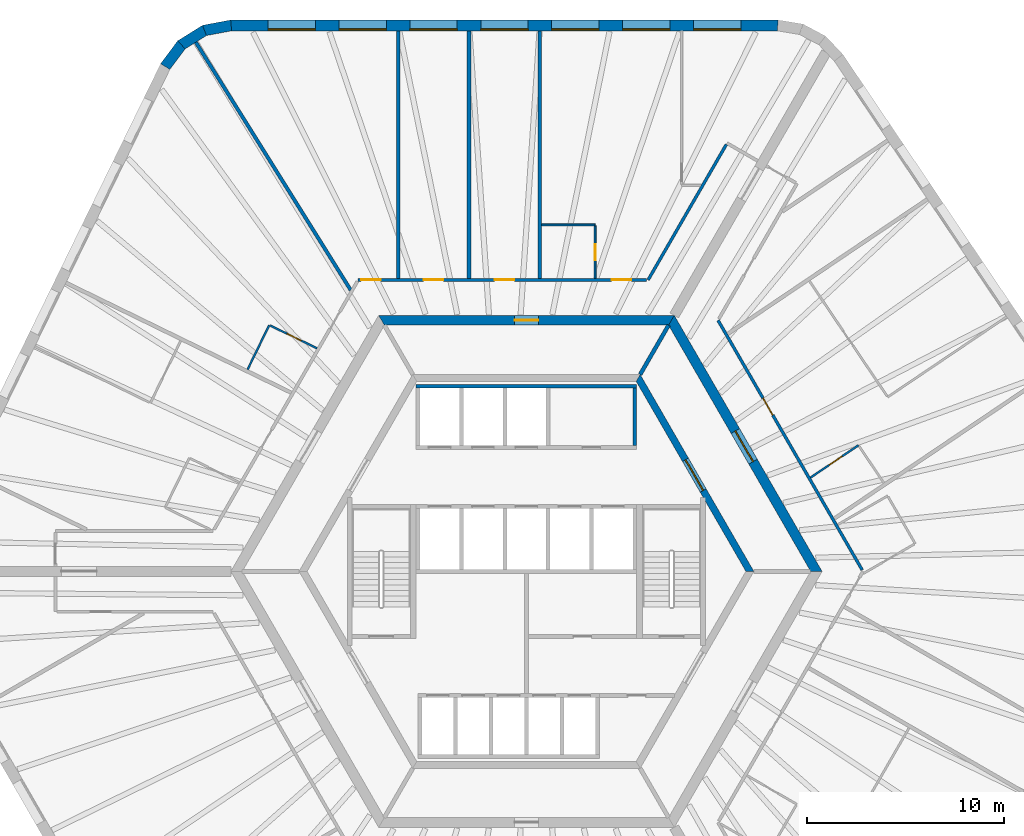
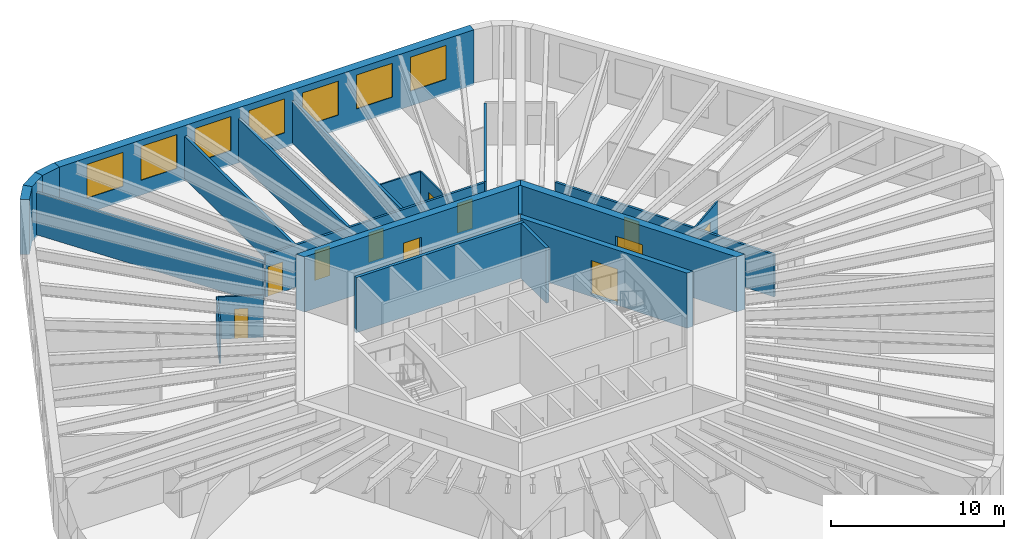
# One storey, part 7 of 9: 22 walls, 11 doors, 7 windows, 18 openings.
"""IFC4 building model written with IfcOpenShell, lengths in metres."""

from ifc_helpers import new_model, si_unit, direction, frame, frame_2d, origin, place, context, subcontext, project, spatial, polyline, rectangle, outline, extrude, material, layer, layer_set, type_object, element, fill, save


model = new_model("IFC4")

# Units and contexts
model_context = context("Model", 3, precision=1e-05, world=origin(), true_north=direction((0.0, 1.0)))
body_context = subcontext(model_context, "Body", "Model", "MODEL_VIEW")
ifc_project = project(units=[si_unit("LENGTHUNIT", "METRE"), si_unit("AREAUNIT", "SQUARE_METRE"), si_unit("VOLUMEUNIT", "CUBIC_METRE"), si_unit("PLANEANGLEUNIT", "RADIAN"), si_unit("MASSUNIT", "GRAM", prefix="KILO")], contexts=[model_context])

# Site, building, storey
site_placement = place(None, origin())
site = spatial("IfcSite", under=ifc_project, at=site_placement, CompositionType="ELEMENT")
building_placement = place(site_placement, origin())
building = spatial("IfcBuilding", under=site, at=building_placement, Name="Tarnside Tower", CompositionType="ELEMENT")
storey_placement = place(building_placement, frame((0.0, 0.0, 222.89990234375)))
storey = spatial("IfcBuildingStorey", under=building, at=storey_placement, Name="L53", CompositionType="ELEMENT", Elevation=222.89990234375)

# Wall
ifc_material_1 = material(Name="Gypsum board partition on steel studs", Category="steel")
ifc_layer_1 = layer(ifc_material_1, 0.10009765625)
ifc_layer_set_1 = layer_set([ifc_layer_1], Name="Bathroom wall 100")
wall_type_1 = type_object("IfcWallType", Name="Bathroom wall 100", PredefinedType="PARTITIONING", material=ifc_layer_set_1)
wall_1_placement = place(storey_placement, frame((0.772216796875, 17.60009765625, 0.0), z_axis=(0.0, 0.0, 1.0), x_axis=(1.0, 0.0, 0.0)))
element("IfcWall", 1, at=wall_1_placement, inside=storey, type_object=wall_type_1, Name="Bathroom wall 17046", PredefinedType="PARTITIONING", context=body_context, shape_type="SweptSolid", body=[
    extrude(rectangle(XDim=2.7099609375, YDim=0.10009765625, at=frame_2d((1.35498046875, 0.0))), origin(), (0.0, 0.0, 1.0), 2.98779296875),
])

# Wall, opening, door
wall_2_placement = place(storey_placement, frame((3.482177734375, 17.550048828125, 0.0), z_axis=(0.0, 0.0, 1.0), x_axis=(0.0, -1.0, 0.0)))
wall_2 = element("IfcWall", 2, at=wall_2_placement, inside=storey, type_object=wall_type_1, Name="Bathroom wall 17047", PredefinedType="PARTITIONING", context=body_context, shape_type="SweptSolid", body=[
    extrude(rectangle(XDim=2.675048828125, YDim=0.10009765625, at=frame_2d((1.33740234375, 0.0))), origin(), (0.0, 0.0, 1.0), 2.98779296875),
])
opening_1_placement = place(wall_2_placement, frame((0.949951171875, 0.0, 0.0)))
opening_1 = element("IfcOpeningElement", 3, at=opening_1_placement, cuts=wall_2, Name="Opening D-B1", PredefinedType="OPENING", context=body_context, shape_type="SweptSolid", body=[
    extrude(rectangle(XDim=0.800048828125, YDim=2.10009765625, at=frame_2d((0.39990234375, 1.050048828125))), frame((0.0, 0.06005859375, 0.0), z_axis=(0.0, -1.0, 0.0), x_axis=(1.0, 0.0, 0.0)), (0.0, 0.0, 1.0), 0.1201171875),
])
ifc_material_2 = material(Name="Timber door leaf", Category="wood")
door_type_1 = type_object("IfcDoorType", Name="Bathroom door 800", OperationType="NOTDEFINED", PredefinedType="DOOR", material=ifc_material_2)
door_1_placement = place(opening_1_placement, origin())
door_1 = element("IfcDoor", 4, at=door_1_placement, inside=storey, type_object=door_type_1, Name="Bathroom door 17002", OperationType="SINGLE_SWING_LEFT", OverallHeight=2.10009765625, OverallWidth=0.800048828125, PredefinedType="DOOR", context=body_context, shape_type="SweptSolid", body=[
    extrude(rectangle(XDim=0.800048828125, YDim=2.10009765625, at=frame_2d((0.39990234375, 1.050048828125))), frame((0.0, 0.02490234375, 0.0), z_axis=(0.0, -1.0, 0.0), x_axis=(1.0, 0.0, 0.0)), (0.0, 0.0, 1.0), 0.050048828125),
])
fill(opening_1, door_1)

# Wall
wall_3_placement = place(storey_placement, frame((-14.161865234375, 10.25390625, 0.0), z_axis=(0.0, 0.0, 1.0), x_axis=(0.438398718232, 0.898780598284, 0.0)))
element("IfcWall", 5, at=wall_3_placement, inside=storey, type_object=wall_type_1, Name="Bathroom wall 17055", PredefinedType="PARTITIONING", context=body_context, shape_type="SweptSolid", body=[
    extrude(rectangle(XDim=2.510009765625, YDim=0.10009765625, at=frame_2d((1.2548828125, 0.0))), origin(), (0.0, 0.0, 1.0), 2.98779296875),
])

# Wall, opening, door
wall_4_placement = place(storey_placement, frame((-13.0166015625, 12.48779296875, 0.0), z_axis=(0.0, 0.0, 1.0), x_axis=(0.89882691906, -0.438303741226, 0.0)))
wall_4 = element("IfcWall", 6, at=wall_4_placement, inside=storey, type_object=wall_type_1, Name="Bathroom wall 17056", PredefinedType="PARTITIONING", context=body_context, shape_type="SweptSolid", body=[
    extrude(rectangle(XDim=2.64794921875, YDim=0.10009765625, at=frame_2d((1.323974609375, 0.0))), origin(), (0.0, 0.0, 1.0), 2.98779296875),
])
opening_2_placement = place(wall_4_placement, frame((0.949951171875, 0.0, 0.0)))
opening_2 = element("IfcOpeningElement", 7, at=opening_2_placement, cuts=wall_4, Name="Opening D-B1", PredefinedType="OPENING", context=body_context, shape_type="SweptSolid", body=[
    extrude(rectangle(XDim=0.800048828125, YDim=2.10009765625, at=frame_2d((0.39990234375, 1.050048828125))), frame((0.0, 0.06005859375, 0.0), z_axis=(0.0, -1.0, 0.0), x_axis=(1.0, 0.0, 0.0)), (0.0, 0.0, 1.0), 0.1201171875),
])
door_2_placement = place(opening_2_placement, origin())
door_2 = element("IfcDoor", 8, at=door_2_placement, inside=storey, type_object=door_type_1, Name="Bathroom door 17008", OperationType="SINGLE_SWING_LEFT", OverallHeight=2.10009765625, OverallWidth=0.800048828125, PredefinedType="DOOR", context=body_context, shape_type="SweptSolid", body=[
    extrude(rectangle(XDim=0.800048828125, YDim=2.10009765625, at=frame_2d((0.39990234375, 1.050048828125))), frame((0.0, 0.02490234375, 0.0), z_axis=(0.0, -1.0, 0.0), x_axis=(1.0, 0.0, 0.0)), (0.0, 0.0, 1.0), 0.050048828125),
])
fill(opening_2, door_2)

wall_5_placement = place(storey_placement, frame((14.426025390625, 4.763427734375, 0.0), z_axis=(0.0, 0.0, 1.0), x_axis=(0.829055983973, 0.559165606451, 0.0)))
wall_5 = element("IfcWall", 9, at=wall_5_placement, inside=storey, type_object=wall_type_1, Name="Bathroom wall 17094", PredefinedType="PARTITIONING", context=body_context, shape_type="SweptSolid", body=[
    extrude(rectangle(XDim=2.9345703125, YDim=0.10009765625, at=frame_2d((1.46728515625, 0.0))), origin(), (0.0, 0.0, 1.0), 2.98779296875),
])
opening_3_placement = place(wall_5_placement, frame((1.134521484375, 0.0, 0.0)))
opening_3 = element("IfcOpeningElement", 10, at=opening_3_placement, cuts=wall_5, Name="Opening D-B1", PredefinedType="OPENING", context=body_context, shape_type="SweptSolid", body=[
    extrude(rectangle(XDim=0.800048828125, YDim=2.10009765625, at=frame_2d((0.39990234375, 1.050048828125))), frame((0.0, 0.06005859375, 0.0), z_axis=(0.0, -1.0, 0.0), x_axis=(1.0, 0.0, 0.0)), (0.0, 0.0, 1.0), 0.1201171875),
])
door_3_placement = place(opening_3_placement, origin())
door_3 = element("IfcDoor", 11, at=door_3_placement, inside=storey, type_object=door_type_1, Name="Bathroom door 17030", OperationType="SINGLE_SWING_LEFT", OverallHeight=2.10009765625, OverallWidth=0.800048828125, PredefinedType="DOOR", context=body_context, shape_type="SweptSolid", body=[
    extrude(rectangle(XDim=0.800048828125, YDim=2.10009765625, at=frame_2d((0.39990234375, 1.050048828125))), frame((0.0, 0.02490234375, 0.0), z_axis=(0.0, -1.0, 0.0), x_axis=(1.0, 0.0, 0.0)), (0.0, 0.0, 1.0), 0.050048828125),
])
fill(opening_3, door_3)

ifc_material_3 = material(Name="Concrete C50/60", Category="concrete")
ifc_layer_2 = layer(ifc_material_3, 0.35009765625)
ifc_layer_set_2 = layer_set([ifc_layer_2], Name="Core block wall 350 C50/60")
wall_type_2 = type_object("IfcWallType", Name="Core block wall 350 C50/60", PredefinedType="SHEAR", material=ifc_layer_set_2)
wall_6_placement = place(storey_placement, frame((11.344970703125, 0.0, -0.14990234375), z_axis=(0.0, 0.0, 1.0), x_axis=(-0.499995046907, 0.866028263435, 0.0)))
wall_6 = element("IfcWall", 12, at=wall_6_placement, inside=storey, type_object=wall_type_2, Name="L53 core block wall face 6", PredefinedType="SHEAR", context=body_context, shape_type="SweptSolid", body=[
    extrude(outline(polyline([(-0.10107421875, -0.175048828125), (11.44580078125, -0.175048828125), (11.24365234375, 0.175048828125), (0.10107421875, 0.175048828125), (-0.10107421875, -0.175048828125)])), origin(), (0.0, 0.0, 1.0), 3.89990234375),
])
opening_4_placement = place(wall_6_placement, frame((4.74365234375, 0.0, 0.14990234375)))
opening_4 = element("IfcOpeningElement", 13, at=opening_4_placement, cuts=wall_6, Name="Opening CD-LOB", PredefinedType="OPENING", context=body_context, shape_type="SweptSolid", body=[
    extrude(rectangle(XDim=1.800048828125, YDim=2.39990234375, at=frame_2d((0.89990234375, 1.199951171875))), frame((0.0, 0.18505859375, 0.0), z_axis=(0.0, -1.0, 0.0), x_axis=(1.0, 0.0, 0.0)), (0.0, 0.0, 1.0), 0.3701171875),
])
ifc_material_4 = material(Name="Steel fire door", Category="steel")
door_type_2 = type_object("IfcDoorType", Name="Lobby double door FD30S 1800x2400", OperationType="NOTDEFINED", PredefinedType="DOOR", material=ifc_material_4)
door_4_placement = place(opening_4_placement, origin())
door_4 = element("IfcDoor", 14, at=door_4_placement, inside=storey, type_object=door_type_2, Name="L53 lobby block door P2", OperationType="DOUBLE_DOOR_SINGLE_SWING", OverallHeight=2.39990234375, OverallWidth=1.800048828125, PredefinedType="DOOR", context=body_context, shape_type="SweptSolid", body=[
    extrude(rectangle(XDim=1.800048828125, YDim=2.39990234375, at=frame_2d((0.89990234375, 1.199951171875))), frame((0.0, 0.02490234375, 0.0), z_axis=(0.0, -1.0, 0.0), x_axis=(1.0, 0.0, 0.0)), (0.0, 0.0, 1.0), 0.050048828125),
])
fill(opening_4, door_4)

ifc_material_5 = material(Name="Concrete C70/85", Category="concrete")
ifc_layer_3 = layer(ifc_material_5, 0.5)
ifc_layer_set_3 = layer_set([ifc_layer_3], Name="Core wall Z2 500 C70/85")
wall_type_3 = type_object("IfcWallType", Name="Core wall Z2 500 C70/85", PredefinedType="SHEAR", material=ifc_layer_set_3)
wall_7_placement = place(storey_placement, frame((14.722412109375, 0.0, -0.14990234375), z_axis=(0.0, 0.0, 1.0), x_axis=(-0.50000571537, 0.866022103989, 0.0)))
wall_7 = element("IfcWall", 15, at=wall_7_placement, inside=storey, type_object=wall_type_3, Name="L53 core wall face 6", PredefinedType="SHEAR", context=body_context, shape_type="SweptSolid", body=[
    extrude(outline(polyline([(-0.144287109375, -0.25), (14.86669921875, -0.25), (14.578125, 0.25), (0.144287109375, 0.25), (-0.144287109375, -0.25)])), origin(), (0.0, 0.0, 1.0), 3.89990234375),
])
opening_5_placement = place(wall_7_placement, frame((6.432373046875, 0.0, 0.14990234375)))
opening_5 = element("IfcOpeningElement", 16, at=opening_5_placement, cuts=wall_7, Name="Opening CD-LOB", PredefinedType="OPENING", context=body_context, shape_type="SweptSolid", body=[
    extrude(rectangle(XDim=1.800048828125, YDim=2.39990234375, at=frame_2d((0.89990234375, 1.199951171875))), frame((0.0, 0.260009765625, 0.0), z_axis=(0.0, -1.0, 0.0), x_axis=(1.0, 0.0, 0.0)), (0.0, 0.0, 1.0), 0.52001953125),
])
door_5_placement = place(opening_5_placement, origin())
door_5 = element("IfcDoor", 17, at=door_5_placement, inside=storey, type_object=door_type_2, Name="L53 core door P2", OperationType="DOUBLE_DOOR_SINGLE_SWING", OverallHeight=2.39990234375, OverallWidth=1.800048828125, PredefinedType="DOOR", context=body_context, shape_type="SweptSolid", body=[
    extrude(rectangle(XDim=1.800048828125, YDim=2.39990234375, at=frame_2d((0.89990234375, 1.199951171875))), frame((0.0, 0.02490234375, 0.0), z_axis=(0.0, -1.0, 0.0), x_axis=(1.0, 0.0, 0.0)), (0.0, 0.0, 1.0), 0.050048828125),
])
fill(opening_5, door_5)

wall_8_placement = place(storey_placement, frame((7.361083984375, 12.75, -0.14990234375), z_axis=(0.0, 0.0, 1.0), x_axis=(-1.0, 0.0, 0.0)))
wall_8 = element("IfcWall", 18, at=wall_8_placement, inside=storey, type_object=wall_type_3, Name="L53 core wall face 1", PredefinedType="SHEAR", context=body_context, shape_type="SweptSolid", body=[
    extrude(outline(polyline([(-0.144287109375, -0.25), (14.866455078125, -0.25), (14.577880859375, 0.25), (0.144287109375, 0.25), (-0.144287109375, -0.25)])), origin(), (0.0, 0.0, 1.0), 3.89990234375),
])
opening_6_placement = place(wall_8_placement, frame((6.76123046875, 0.0, 0.14990234375)))
opening_6 = element("IfcOpeningElement", 19, at=opening_6_placement, cuts=wall_8, Name="Opening CD-RSR", PredefinedType="OPENING", context=body_context, shape_type="SweptSolid", body=[
    extrude(rectangle(XDim=1.199951171875, YDim=2.39990234375, at=frame_2d((0.60009765625, 1.199951171875))), frame((0.0, 0.260009765625, 0.0), z_axis=(0.0, -1.0, 0.0), x_axis=(1.0, 0.0, 0.0)), (0.0, 0.0, 1.0), 0.52001953125),
])
door_type_3 = type_object("IfcDoorType", Name="Riser door FD60 1200x2400", OperationType="NOTDEFINED", PredefinedType="DOOR", material=ifc_material_4)
door_6_placement = place(opening_6_placement, origin())
door_6 = element("IfcDoor", 20, at=door_6_placement, inside=storey, type_object=door_type_3, Name="L53 core door S5", OperationType="SINGLE_SWING_LEFT", OverallHeight=2.39990234375, OverallWidth=1.199951171875, PredefinedType="DOOR", context=body_context, shape_type="SweptSolid", body=[
    extrude(rectangle(XDim=1.199951171875, YDim=2.39990234375, at=frame_2d((0.60009765625, 1.199951171875))), frame((0.0, 0.02490234375, 0.0), z_axis=(0.0, -1.0, 0.0), x_axis=(1.0, 0.0, 0.0)), (0.0, 0.0, 1.0), 0.050048828125),
])
fill(opening_6, door_6)

# Wall
ifc_layer_4 = layer(ifc_material_1, 0.14990234375)
ifc_layer_set_4 = layer_set([ifc_layer_4], Name="Corridor wall 150 EI 60")
wall_type_4 = type_object("IfcWallType", Name="Corridor wall 150 EI 60", PredefinedType="PARTITIONING", material=ifc_layer_set_4)
wall_9_placement = place(storey_placement, frame((10.148681640625, 21.677978515625, 0.0), z_axis=(0.0, 0.0, 1.0), x_axis=(-0.499997422768, -0.866026891745, 0.0)))
element("IfcWall", 21, at=wall_9_placement, inside=storey, type_object=wall_type_4, Name="Corridor wall 17001", PredefinedType="PARTITIONING", context=body_context, shape_type="SweptSolid", body=[
    extrude(rectangle(XDim=7.94189453125, YDim=0.14990234375, at=frame_2d((3.970947265625, 0.0))), origin(), (0.0, 0.0, 1.0), 2.98779296875),
])

# Wall, openings, doors
wall_10_placement = place(storey_placement, frame((6.091064453125, 14.800048828125, 0.0), z_axis=(0.0, 0.0, 1.0), x_axis=(-1.0, 0.0, 0.0)))
wall_10 = element("IfcWall", 22, at=wall_10_placement, inside=storey, type_object=wall_type_4, Name="Corridor wall 17002", PredefinedType="PARTITIONING", context=body_context, shape_type="SweptSolid", body=[
    extrude(rectangle(XDim=14.6357421875, YDim=0.14990234375, at=frame_2d((7.31787109375, 0.0))), origin(), (0.0, 0.0, 1.0), 2.98779296875),
])
opening_7_placement = place(wall_10_placement, frame((0.76123046875, 0.0, 0.0)))
opening_7 = element("IfcOpeningElement", 23, at=opening_7_placement, cuts=wall_10, Name="Opening D-E1", PredefinedType="OPENING", context=body_context, shape_type="SweptSolid", body=[
    extrude(rectangle(XDim=1.0, YDim=2.10009765625, at=frame_2d((0.5, 1.050048828125))), frame((0.0, 0.0849609375, 0.0), z_axis=(0.0, -1.0, 0.0), x_axis=(1.0, 0.0, 0.0)), (0.0, 0.0, 1.0), 0.169921875),
])
opening_8_placement = place(wall_10_placement, frame((6.708984375, 0.0, 0.0)))
opening_8 = element("IfcOpeningElement", 24, at=opening_8_placement, cuts=wall_10, Name="Opening D-E1", PredefinedType="OPENING", context=body_context, shape_type="SweptSolid", body=[
    extrude(rectangle(XDim=1.0, YDim=2.10009765625, at=frame_2d((0.5, 1.050048828125))), frame((0.0, 0.0849609375, 0.0), z_axis=(0.0, -1.0, 0.0), x_axis=(1.0, 0.0, 0.0)), (0.0, 0.0, 1.0), 0.169921875),
])
opening_9_placement = place(wall_10_placement, frame((10.308837890625, 0.0, 0.0)))
opening_9 = element("IfcOpeningElement", 25, at=opening_9_placement, cuts=wall_10, Name="Opening D-E1", PredefinedType="OPENING", context=body_context, shape_type="SweptSolid", body=[
    extrude(rectangle(XDim=1.0, YDim=2.10009765625, at=frame_2d((0.5, 1.050048828125))), frame((0.0, 0.0849609375, 0.0), z_axis=(0.0, -1.0, 0.0), x_axis=(1.0, 0.0, 0.0)), (0.0, 0.0, 1.0), 0.169921875),
])
opening_10_placement = place(wall_10_placement, frame((13.48583984375, 0.0, 0.0)))
opening_10 = element("IfcOpeningElement", 26, at=opening_10_placement, cuts=wall_10, Name="Opening D-E1", PredefinedType="OPENING", context=body_context, shape_type="SweptSolid", body=[
    extrude(rectangle(XDim=1.0, YDim=2.10009765625, at=frame_2d((0.5, 1.050048828125))), frame((0.0, 0.0849609375, 0.0), z_axis=(0.0, -1.0, 0.0), x_axis=(1.0, 0.0, 0.0)), (0.0, 0.0, 1.0), 0.169921875),
])
door_type_4 = type_object("IfcDoorType", Name="Unit entrance door 1000 FD30S", OperationType="NOTDEFINED", PredefinedType="DOOR", material=ifc_material_2)
door_7_placement = place(opening_7_placement, origin())
door_7 = element("IfcDoor", 27, at=door_7_placement, inside=storey, type_object=door_type_4, Name="Unit door 17001", OperationType="SINGLE_SWING_RIGHT", OverallHeight=2.10009765625, OverallWidth=1.0, PredefinedType="DOOR", context=body_context, shape_type="SweptSolid", body=[
    extrude(rectangle(XDim=1.0, YDim=2.10009765625, at=frame_2d((0.5, 1.050048828125))), frame((0.0, 0.02490234375, 0.0), z_axis=(0.0, -1.0, 0.0), x_axis=(1.0, 0.0, 0.0)), (0.0, 0.0, 1.0), 0.050048828125),
])
fill(opening_7, door_7)
door_8_placement = place(opening_8_placement, origin())
door_8 = element("IfcDoor", 28, at=door_8_placement, inside=storey, type_object=door_type_4, Name="Unit door 17004", OperationType="SINGLE_SWING_LEFT", OverallHeight=2.10009765625, OverallWidth=1.0, PredefinedType="DOOR", context=body_context, shape_type="SweptSolid", body=[
    extrude(rectangle(XDim=1.0, YDim=2.10009765625, at=frame_2d((0.5, 1.050048828125))), frame((0.0, 0.02490234375, 0.0), z_axis=(0.0, -1.0, 0.0), x_axis=(1.0, 0.0, 0.0)), (0.0, 0.0, 1.0), 0.050048828125),
])
fill(opening_8, door_8)
door_9_placement = place(opening_9_placement, origin())
door_9 = element("IfcDoor", 29, at=door_9_placement, inside=storey, type_object=door_type_4, Name="Unit door 17005", OperationType="SINGLE_SWING_RIGHT", OverallHeight=2.10009765625, OverallWidth=1.0, PredefinedType="DOOR", context=body_context, shape_type="SweptSolid", body=[
    extrude(rectangle(XDim=1.0, YDim=2.10009765625, at=frame_2d((0.5, 1.050048828125))), frame((0.0, 0.02490234375, 0.0), z_axis=(0.0, -1.0, 0.0), x_axis=(1.0, 0.0, 0.0)), (0.0, 0.0, 1.0), 0.050048828125),
])
fill(opening_9, door_9)
door_10_placement = place(opening_10_placement, origin())
door_10 = element("IfcDoor", 30, at=door_10_placement, inside=storey, type_object=door_type_4, Name="Unit door 17006", OperationType="SINGLE_SWING_LEFT", OverallHeight=2.10009765625, OverallWidth=1.0, PredefinedType="DOOR", context=body_context, shape_type="SweptSolid", body=[
    extrude(rectangle(XDim=1.0, YDim=2.10009765625, at=frame_2d((0.5, 1.050048828125))), frame((0.0, 0.02490234375, 0.0), z_axis=(0.0, -1.0, 0.0), x_axis=(1.0, 0.0, 0.0)), (0.0, 0.0, 1.0), 0.050048828125),
])
fill(opening_10, door_10)

# Wall, opening, door
wall_11_placement = place(storey_placement, frame((17.04638671875, 0.074951171875, 0.0), z_axis=(0.0, 0.0, 1.0), x_axis=(-0.500008833422, 0.866020303746, 0.0)))
wall_11 = element("IfcWall", 31, at=wall_11_placement, inside=storey, type_object=wall_type_4, Name="Corridor wall 17036", PredefinedType="PARTITIONING", context=body_context, shape_type="SweptSolid", body=[
    extrude(rectangle(XDim=14.635986328125, YDim=0.14990234375, at=frame_2d((7.31787109375, 0.0))), origin(), (0.0, 0.0, 1.0), 2.98779296875),
])
opening_11_placement = place(wall_11_placement, frame((9.069580078125, 0.0, 0.0)))
opening_11 = element("IfcOpeningElement", 32, at=opening_11_placement, cuts=wall_11, Name="Opening D-E1", PredefinedType="OPENING", context=body_context, shape_type="SweptSolid", body=[
    extrude(rectangle(XDim=1.0, YDim=2.10009765625, at=frame_2d((0.5, 1.050048828125))), frame((0.0, 0.0849609375, 0.0), z_axis=(0.0, -1.0, 0.0), x_axis=(1.0, 0.0, 0.0)), (0.0, 0.0, 1.0), 0.169921875),
])
door_11_placement = place(opening_11_placement, origin())
door_11 = element("IfcDoor", 33, at=door_11_placement, inside=storey, type_object=door_type_4, Name="Unit door 17029", OperationType="SINGLE_SWING_RIGHT", OverallHeight=2.10009765625, OverallWidth=1.0, PredefinedType="DOOR", context=body_context, shape_type="SweptSolid", body=[
    extrude(rectangle(XDim=1.0, YDim=2.10009765625, at=frame_2d((0.5, 1.050048828125))), frame((0.0, 0.02490234375, 0.0), z_axis=(0.0, -1.0, 0.0), x_axis=(1.0, 0.0, 0.0)), (0.0, 0.0, 1.0), 0.050048828125),
])
fill(opening_11, door_11)

# Walls
ifc_layer_5 = layer(ifc_material_1, 0.179931640625)
ifc_layer_set_5 = layer_set([ifc_layer_5], Name="Demising wall 180 EI 60")
wall_type_5 = type_object("IfcWallType", Name="Demising wall 180 EI 60", PredefinedType="PARTITIONING", material=ifc_layer_set_5)
for number, where, z_axis, x_axis, name in (
    (34, (0.68212890625, 27.449951171875, 0.0), (0.0, 0.0, 1.0), (0.0, -1.0, 0.0), "Demising wall 17050"),
    (35, (-2.91796875, 27.449951171875, 0.0), (0.0, 0.0, 1.0), (0.0, -1.0, 0.0), "Demising wall 17052"),
    (36, (-6.517822265625, 27.449951171875, 0.0), (0.0, 0.0, 1.0), (0.0, -1.0, 0.0), "Demising wall 17053"),
):
    element("IfcWall", number, at=place(storey_placement, frame(where, z_axis=z_axis, x_axis=x_axis)), inside=storey, type_object=wall_type_5, Name=name, PredefinedType="PARTITIONING", context=body_context, shape_type="SweptSolid", body=[
        extrude(rectangle(XDim=12.574951171875, YDim=0.179931640625, at=frame_2d((6.28759765625, 0.0))), origin(), (0.0, 0.0, 1.0), 2.98779296875),
    ])
wall_12_placement = place(storey_placement, frame((-16.791015625, 26.87109375, 0.0), z_axis=(0.0, 0.0, 1.0), x_axis=(0.529927950822, -0.848042668111, 0.0)))
element("IfcWall", 37, at=wall_12_placement, inside=storey, type_object=wall_type_5, Name="Demising wall 17054", PredefinedType="PARTITIONING", context=body_context, shape_type="SweptSolid", body=[
    extrude(rectangle(XDim=14.8388671875, YDim=0.179931640625, at=frame_2d((7.41943359375, 0.0))), origin(), (0.0, 0.0, 1.0), 2.98779296875),
])
ifc_material_6 = material(Name="Concrete C40/50", Category="concrete")
ifc_layer_6 = layer(ifc_material_6, 0.199951171875)
ifc_layer_set_6 = layer_set([ifc_layer_6], Name="Lift shaft wall 200 C40/50")
wall_type_6 = type_object("IfcWallType", Name="Lift shaft wall 200 C40/50", PredefinedType="SHEAR", material=ifc_layer_set_6)
wall_13_placement = place(storey_placement, frame((-5.60009765625, 9.39990234375, -0.25), z_axis=(0.0, 0.0, 1.0), x_axis=(1.0, 0.0, 0.0)))
element("IfcWall", 38, at=wall_13_placement, inside=storey, type_object=wall_type_6, Name="L53 lift shaft back wall R1", PredefinedType="SHEAR", context=body_context, shape_type="SweptSolid", body=[
    extrude(rectangle(XDim=11.2001953125, YDim=0.199951171875, at=frame_2d((5.60009765625, 0.0))), origin(), (0.0, 0.0, 1.0), 3.900146484375),
])
wall_14_placement = place(storey_placement, frame((5.5, 6.39990234375, -0.25), z_axis=(0.0, 0.0, 1.0), x_axis=(0.0, 1.0, 0.0)))
element("IfcWall", 39, at=wall_14_placement, inside=storey, type_object=wall_type_6, Name="L53 lift shaft partition R16", PredefinedType="SHEAR", context=body_context, shape_type="SweptSolid", body=[
    extrude(rectangle(XDim=2.900146484375, YDim=0.199951171875, at=frame_2d((1.4501953125, 0.0))), origin(), (0.0, 0.0, 1.0), 3.900146484375),
])
wall_15_placement = place(storey_placement, frame((5.7734375, 10.0, -0.14990234375), z_axis=(0.0, 0.0, 1.0), x_axis=(0.499995765644, 0.866027848477, 0.0)))
element("IfcWall", 40, at=wall_15_placement, inside=storey, type_object=wall_type_6, Name="L53 core partition AR60", PredefinedType="SHEAR", context=body_context, shape_type="SweptSolid", body=[
    extrude(rectangle(XDim=2.88671875, YDim=0.199951171875, at=frame_2d((1.443359375, 0.0))), origin(), (0.0, 0.0, 1.0), 3.89990234375),
])

# Wall, openings, windows
ifc_material_7 = material(Name="Facing brick", Category="masonry")
ifc_layer_7 = layer(ifc_material_7, 0.10205078125)
ifc_material_8 = material(Name="Concrete C60/75 precast", Category="concrete")
ifc_layer_8 = layer(ifc_material_8, 0.347900390625)
ifc_material_9 = material(Name="Mineral wool insulation")
ifc_layer_9 = layer(ifc_material_9, 0.10009765625)
ifc_layer_set_7 = layer_set([ifc_layer_7, ifc_layer_8, ifc_layer_9], Name="Tube wall 550 brick faced")
wall_type_7 = type_object("IfcWallType", Name="Tube wall 550 brick faced", PredefinedType="SOLIDWALL", material=ifc_layer_set_7)
wall_16_placement = place(storey_placement, frame((12.760986328125, 27.72509765625, -0.14990234375), z_axis=(0.0, 0.0, 1.0), x_axis=(-1.0, 0.0, 0.0)))
wall_16 = element("IfcWall", 41, at=wall_16_placement, inside=storey, type_object=wall_type_7, Name="Tube wall L53 F1 flush 00", PredefinedType="SOLIDWALL", context=body_context, shape_type="SweptSolid", body=[
    extrude(outline(polyline([(-0.0224609375, -0.27490234375), (27.783447265625, -0.27490234375), (27.732177734375, 0.27490234375), (0.0224609375, 0.27490234375), (-0.0224609375, -0.27490234375)])), origin(), (0.0, 0.0, 1.0), 3.89990234375),
])
opening_12_placement = place(wall_16_placement, frame((1.87890625, 0.0, 1.050048828125)))
opening_12 = element("IfcOpeningElement", 42, at=opening_12_placement, cuts=wall_16, Name="Opening WH", PredefinedType="OPENING", context=body_context, shape_type="SweptSolid", body=[
    extrude(rectangle(XDim=2.39990234375, YDim=2.39990234375, at=frame_2d((1.199951171875, 1.199951171875))), frame((0.0, 0.28515625, 0.0), z_axis=(0.0, -1.0, 0.0), x_axis=(1.0, 0.0, 0.0)), (0.0, 0.0, 1.0), 0.570068359375),
])
opening_13_placement = place(wall_16_placement, frame((5.47900390625, 0.0, 1.050048828125)))
opening_13 = element("IfcOpeningElement", 43, at=opening_13_placement, cuts=wall_16, Name="Opening WH", PredefinedType="OPENING", context=body_context, shape_type="SweptSolid", body=[
    extrude(rectangle(XDim=2.39990234375, YDim=2.39990234375, at=frame_2d((1.199951171875, 1.199951171875))), frame((0.0, 0.28515625, 0.0), z_axis=(0.0, -1.0, 0.0), x_axis=(1.0, 0.0, 0.0)), (0.0, 0.0, 1.0), 0.570068359375),
])
opening_14_placement = place(wall_16_placement, frame((9.078857421875, 0.0, 1.050048828125)))
opening_14 = element("IfcOpeningElement", 44, at=opening_14_placement, cuts=wall_16, Name="Opening WH", PredefinedType="OPENING", context=body_context, shape_type="SweptSolid", body=[
    extrude(rectangle(XDim=2.39990234375, YDim=2.39990234375, at=frame_2d((1.199951171875, 1.199951171875))), frame((0.0, 0.28515625, 0.0), z_axis=(0.0, -1.0, 0.0), x_axis=(1.0, 0.0, 0.0)), (0.0, 0.0, 1.0), 0.570068359375),
])
opening_15_placement = place(wall_16_placement, frame((12.678955078125, 0.0, 1.050048828125)))
opening_15 = element("IfcOpeningElement", 45, at=opening_15_placement, cuts=wall_16, Name="Opening WH", PredefinedType="OPENING", context=body_context, shape_type="SweptSolid", body=[
    extrude(rectangle(XDim=2.39990234375, YDim=2.39990234375, at=frame_2d((1.199951171875, 1.199951171875))), frame((0.0, 0.28515625, 0.0), z_axis=(0.0, -1.0, 0.0), x_axis=(1.0, 0.0, 0.0)), (0.0, 0.0, 1.0), 0.570068359375),
])
opening_16_placement = place(wall_16_placement, frame((16.27880859375, 0.0, 1.050048828125)))
opening_16 = element("IfcOpeningElement", 46, at=opening_16_placement, cuts=wall_16, Name="Opening WH", PredefinedType="OPENING", context=body_context, shape_type="SweptSolid", body=[
    extrude(rectangle(XDim=2.39990234375, YDim=2.39990234375, at=frame_2d((1.199951171875, 1.199951171875))), frame((0.0, 0.28515625, 0.0), z_axis=(0.0, -1.0, 0.0), x_axis=(1.0, 0.0, 0.0)), (0.0, 0.0, 1.0), 0.570068359375),
])
opening_17_placement = place(wall_16_placement, frame((19.87890625, 0.0, 1.050048828125)))
opening_17 = element("IfcOpeningElement", 47, at=opening_17_placement, cuts=wall_16, Name="Opening WH", PredefinedType="OPENING", context=body_context, shape_type="SweptSolid", body=[
    extrude(rectangle(XDim=2.39990234375, YDim=2.39990234375, at=frame_2d((1.199951171875, 1.199951171875))), frame((0.0, 0.28515625, 0.0), z_axis=(0.0, -1.0, 0.0), x_axis=(1.0, 0.0, 0.0)), (0.0, 0.0, 1.0), 0.570068359375),
])
opening_18_placement = place(wall_16_placement, frame((23.47900390625, 0.0, 1.050048828125)))
opening_18 = element("IfcOpeningElement", 48, at=opening_18_placement, cuts=wall_16, Name="Opening WH", PredefinedType="OPENING", context=body_context, shape_type="SweptSolid", body=[
    extrude(rectangle(XDim=2.39990234375, YDim=2.39990234375, at=frame_2d((1.199951171875, 1.199951171875))), frame((0.0, 0.28515625, 0.0), z_axis=(0.0, -1.0, 0.0), x_axis=(1.0, 0.0, 0.0)), (0.0, 0.0, 1.0), 0.570068359375),
])
ifc_material_10 = material(Name="Aluminium-framed double glazing", Category="aluminium")
window_type = type_object("IfcWindowType", Name="Hotel window 2400 x 2400", PartitioningType="DOUBLE_PANEL_VERTICAL", PredefinedType="WINDOW", material=ifc_material_10)
window_1_placement = place(opening_12_placement, frame((0.0, 0.205078125, 0.0)))
window_1 = element("IfcWindow", 49, at=window_1_placement, inside=storey, type_object=window_type, Name="E.WN.L53.F1.00", OverallHeight=2.39990234375, OverallWidth=2.39990234375, PartitioningType="DOUBLE_PANEL_VERTICAL", PredefinedType="WINDOW", context=body_context, shape_type="SweptSolid", body=[
    extrude(rectangle(XDim=2.39990234375, YDim=2.39990234375, at=frame_2d((1.199951171875, 1.199951171875))), frame((0.0, 0.030029296875, 0.0), z_axis=(0.0, -1.0, 0.0), x_axis=(1.0, 0.0, 0.0)), (0.0, 0.0, 1.0), 0.06005859375),
])
fill(opening_12, window_1)
window_2_placement = place(opening_13_placement, frame((0.0, 0.205078125, 0.0)))
window_2 = element("IfcWindow", 50, at=window_2_placement, inside=storey, type_object=window_type, Name="E.WN.L53.F1.01", OverallHeight=2.39990234375, OverallWidth=2.39990234375, PartitioningType="DOUBLE_PANEL_VERTICAL", PredefinedType="WINDOW", context=body_context, shape_type="SweptSolid", body=[
    extrude(rectangle(XDim=2.39990234375, YDim=2.39990234375, at=frame_2d((1.199951171875, 1.199951171875))), frame((0.0, 0.030029296875, 0.0), z_axis=(0.0, -1.0, 0.0), x_axis=(1.0, 0.0, 0.0)), (0.0, 0.0, 1.0), 0.06005859375),
])
fill(opening_13, window_2)
window_3_placement = place(opening_14_placement, frame((0.0, 0.205078125, 0.0)))
window_3 = element("IfcWindow", 51, at=window_3_placement, inside=storey, type_object=window_type, Name="E.WN.L53.F1.02", OverallHeight=2.39990234375, OverallWidth=2.39990234375, PartitioningType="DOUBLE_PANEL_VERTICAL", PredefinedType="WINDOW", context=body_context, shape_type="SweptSolid", body=[
    extrude(rectangle(XDim=2.39990234375, YDim=2.39990234375, at=frame_2d((1.199951171875, 1.199951171875))), frame((0.0, 0.030029296875, 0.0), z_axis=(0.0, -1.0, 0.0), x_axis=(1.0, 0.0, 0.0)), (0.0, 0.0, 1.0), 0.06005859375),
])
fill(opening_14, window_3)
window_4_placement = place(opening_15_placement, frame((0.0, 0.205078125, 0.0)))
window_4 = element("IfcWindow", 52, at=window_4_placement, inside=storey, type_object=window_type, Name="E.WN.L53.F1.03", OverallHeight=2.39990234375, OverallWidth=2.39990234375, PartitioningType="DOUBLE_PANEL_VERTICAL", PredefinedType="WINDOW", context=body_context, shape_type="SweptSolid", body=[
    extrude(rectangle(XDim=2.39990234375, YDim=2.39990234375, at=frame_2d((1.199951171875, 1.199951171875))), frame((0.0, 0.030029296875, 0.0), z_axis=(0.0, -1.0, 0.0), x_axis=(1.0, 0.0, 0.0)), (0.0, 0.0, 1.0), 0.06005859375),
])
fill(opening_15, window_4)
window_5_placement = place(opening_16_placement, frame((0.0, 0.205078125, 0.0)))
window_5 = element("IfcWindow", 53, at=window_5_placement, inside=storey, type_object=window_type, Name="E.WN.L53.F1.04", OverallHeight=2.39990234375, OverallWidth=2.39990234375, PartitioningType="DOUBLE_PANEL_VERTICAL", PredefinedType="WINDOW", context=body_context, shape_type="SweptSolid", body=[
    extrude(rectangle(XDim=2.39990234375, YDim=2.39990234375, at=frame_2d((1.199951171875, 1.199951171875))), frame((0.0, 0.030029296875, 0.0), z_axis=(0.0, -1.0, 0.0), x_axis=(1.0, 0.0, 0.0)), (0.0, 0.0, 1.0), 0.06005859375),
])
fill(opening_16, window_5)
window_6_placement = place(opening_17_placement, frame((0.0, 0.205078125, 0.0)))
window_6 = element("IfcWindow", 54, at=window_6_placement, inside=storey, type_object=window_type, Name="E.WN.L53.F1.05", OverallHeight=2.39990234375, OverallWidth=2.39990234375, PartitioningType="DOUBLE_PANEL_VERTICAL", PredefinedType="WINDOW", context=body_context, shape_type="SweptSolid", body=[
    extrude(rectangle(XDim=2.39990234375, YDim=2.39990234375, at=frame_2d((1.199951171875, 1.199951171875))), frame((0.0, 0.030029296875, 0.0), z_axis=(0.0, -1.0, 0.0), x_axis=(1.0, 0.0, 0.0)), (0.0, 0.0, 1.0), 0.06005859375),
])
fill(opening_17, window_6)
window_7_placement = place(opening_18_placement, frame((0.0, 0.205078125, 0.0)))
window_7 = element("IfcWindow", 55, at=window_7_placement, inside=storey, type_object=window_type, Name="E.WN.L53.F1.06", OverallHeight=2.39990234375, OverallWidth=2.39990234375, PartitioningType="DOUBLE_PANEL_VERTICAL", PredefinedType="WINDOW", context=body_context, shape_type="SweptSolid", body=[
    extrude(rectangle(XDim=2.39990234375, YDim=2.39990234375, at=frame_2d((1.199951171875, 1.199951171875))), frame((0.0, 0.030029296875, 0.0), z_axis=(0.0, -1.0, 0.0), x_axis=(1.0, 0.0, 0.0)), (0.0, 0.0, 1.0), 0.06005859375),
])
fill(opening_18, window_7)

# Walls
wall_17_placement = place(storey_placement, frame((-14.996826171875, 27.72509765625, -0.14990234375), z_axis=(0.0, 0.0, 1.0), x_axis=(-0.982705443133, -0.185175624845, 0.0)))
element("IfcWall", 56, at=wall_17_placement, inside=storey, type_object=wall_type_7, Name="Tube wall L53 F1 chord 01", PredefinedType="SOLIDWALL", context=body_context, shape_type="SweptSolid", body=[
    extrude(outline(polyline([(-0.025634765625, -0.27490234375), (1.430908203125, -0.27490234375), (1.327392578125, 0.27490234375), (0.025634765625, 0.27490234375), (-0.025634765625, -0.27490234375)])), origin(), (0.0, 0.0, 1.0), 3.89990234375),
])
wall_18_placement = place(storey_placement, frame((-16.35205078125, 27.4697265625, -0.14990234375), z_axis=(0.0, 0.0, 1.0), x_axis=(-0.848057977594, -0.5299034503, 0.0)))
element("IfcWall", 57, at=wall_18_placement, inside=storey, type_object=wall_type_7, Name="Tube wall L53 F1 chord 02", PredefinedType="SOLIDWALL", context=body_context, shape_type="SweptSolid", body=[
    extrude(outline(polyline([(-0.0517578125, -0.27490234375), (1.4306640625, -0.27490234375), (1.3271484375, 0.27490234375), (0.0517578125, 0.27490234375), (-0.0517578125, -0.27490234375)])), origin(), (0.0, 0.0, 1.0), 3.89990234375),
])
wall_19_placement = place(storey_placement, frame((-17.521484375, 26.739013671875, -0.14990234375), z_axis=(0.0, 0.0, 1.0), x_axis=(-0.597135295884, -0.802140535324, 0.0)))
element("IfcWall", 58, at=wall_19_placement, inside=storey, type_object=wall_type_7, Name="Tube wall L53 F1 chord 03", PredefinedType="SOLIDWALL", context=body_context, shape_type="SweptSolid", body=[
    extrude(outline(polyline([(-0.0517578125, -0.27490234375), (1.40478515625, -0.27490234375), (1.353515625, 0.27490234375), (0.0517578125, 0.27490234375), (-0.0517578125, -0.27490234375)])), origin(), (0.0, 0.0, 1.0), 3.89990234375),
])

save(model, "model.ifc")
